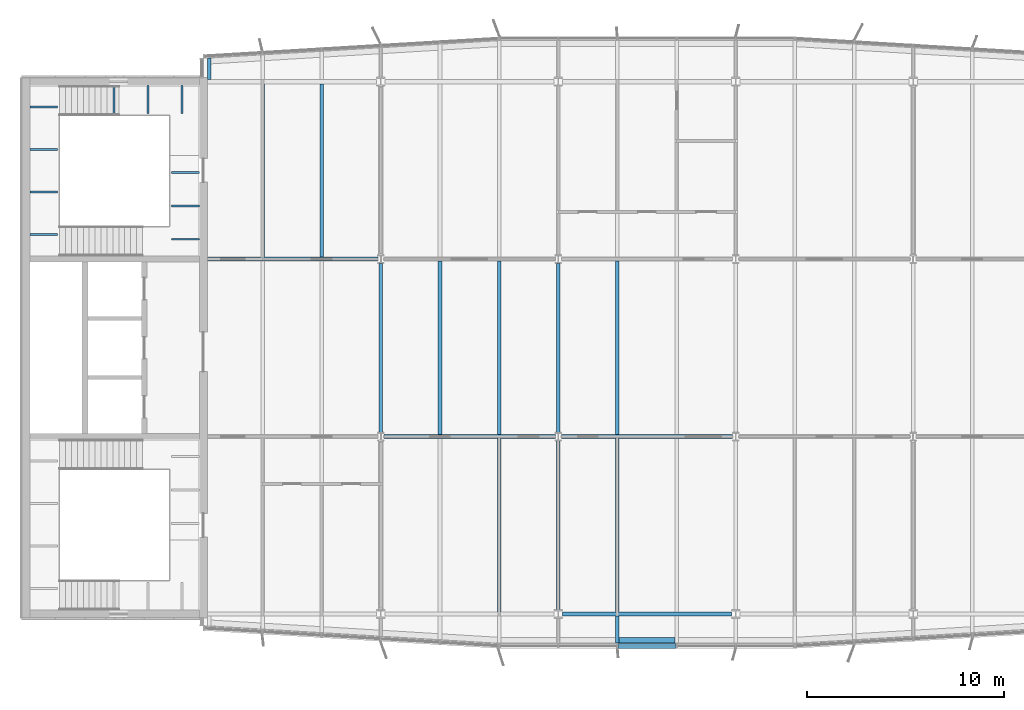
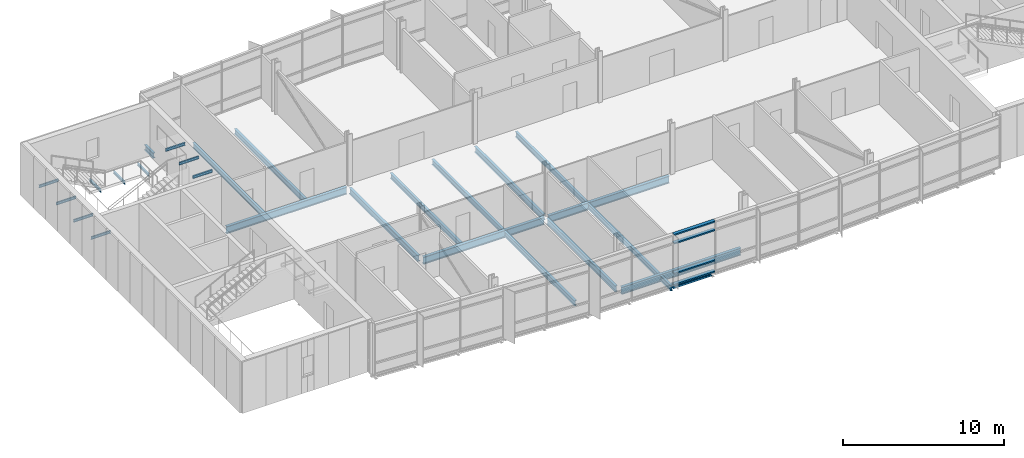
# One storey, part 3 of 21: 27 beams, 4 members, 1 element without a shape of its own.
"""IFC4 building model written with IfcOpenShell, lengths in metres."""

from ifc_helpers import new_model, si_unit, direction, frame, origin, origin_2d, place, context, subcontext, project, spatial, rectangle, i_section, extrude, material, material_profile, profile_set, type_object, element, aggregate, save


model = new_model("IFC4")

# Units and contexts
model_context = context("Model", 3, precision=1e-05, world=origin(), true_north=direction((0.0, 1.0)))
body_context = subcontext(model_context, "Body", "Model", "MODEL_VIEW")
ifc_project = project(units=[si_unit("LENGTHUNIT", "METRE"), si_unit("AREAUNIT", "SQUARE_METRE"), si_unit("VOLUMEUNIT", "CUBIC_METRE"), si_unit("PLANEANGLEUNIT", "RADIAN"), si_unit("MASSUNIT", "GRAM", prefix="KILO")], contexts=[model_context])

# Site, building, storey
site_placement = place(None, origin())
site = spatial("IfcSite", under=ifc_project, at=site_placement, CompositionType="ELEMENT")
building_placement = place(site_placement, origin())
building = spatial("IfcBuilding", under=site, at=building_placement, Name="Azimuth Sports and Learning Centre", CompositionType="ELEMENT")
storey_placement = place(building_placement, frame((0.0, 0.0, 48.0)))
storey = spatial("IfcBuildingStorey", under=building, at=storey_placement, Name="L10", CompositionType="ELEMENT", Elevation=48.0)

# Beams
ifc_material_1 = material(Name="Steel S355", Category="steel")
ifc_material_profile_1 = material_profile(ifc_material_1, i_section(OverallWidth=0.10009765625, OverallDepth=0.199951171875, WebThickness=0.005615234375, FlangeThickness=0.008544921875, FilletRadius=0.011962890625, at=origin_2d()), Name="IPE 200")
ifc_profile_set_1 = profile_set([ifc_material_profile_1], Name="Steel S355")
beam_type_1 = type_object("IfcBeamType", Name="Beam IPE 200", PredefinedType="BEAM", material=ifc_profile_set_1)
for number, where, z_axis, x_axis, name in (
    (1, (58.473388671875, 116.800048828125, -0.300048828125), (0.0, -1.0, 0.0), (1.0, 0.0, 0.0), "Landing bracket W2 L10 277"),
    (2, (60.199951171875, 116.800048828125, -0.300048828125), (0.0, -1.0, 0.0), (1.0, 0.0, 0.0), "Landing bracket W2 L10 278"),
    (3, (61.9267578125, 116.800048828125, -0.300048828125), (0.0, -1.0, 0.0), (1.0, 0.0, 0.0), "Landing bracket W2 L10 279"),
    (4, (54.199951171875, 109.23876953125, 1.35009765625), (1.0, 0.0, 0.0), (0.0, 1.0, 0.0), "Landing bracket W2 L10 280"),
    (5, (54.199951171875, 111.396240234375, 1.35009765625), (1.0, 0.0, 0.0), (0.0, 1.0, 0.0), "Landing bracket W2 L10 281"),
    (6, (54.199951171875, 113.5537109375, 1.35009765625), (1.0, 0.0, 0.0), (0.0, 1.0, 0.0), "Landing bracket W2 L10 282"),
    (7, (54.199951171875, 115.711181640625, 1.35009765625), (1.0, 0.0, 0.0), (0.0, 1.0, 0.0), "Landing bracket W2 L10 283"),
    (8, (62.800048828125, 109.00830078125, 3.60009765625), (-1.0, 0.0, 0.0), (0.0, -1.0, 0.0), "Landing bracket W2 L10 284"),
    (9, (62.800048828125, 110.705078125, 3.60009765625), (-1.0, 0.0, 0.0), (0.0, -1.0, 0.0), "Landing bracket W2 L10 285"),
    (10, (62.800048828125, 112.401611328125, 3.60009765625), (-1.0, 0.0, 0.0), (0.0, -1.0, 0.0), "Landing bracket W2 L10 286"),
):
    element("IfcBeam", number, at=place(storey_placement, frame(where, z_axis=z_axis, x_axis=x_axis)), inside=storey, type_object=beam_type_1, Name=name, PredefinedType="BEAM", context=body_context, shape_type="SweptSolid", body=[
        extrude(i_section(OverallWidth=0.10009765625, OverallDepth=0.199951171875, WebThickness=0.005615234375, FlangeThickness=0.008544921875, FilletRadius=0.011962890625, at=origin_2d()), origin(), (0.0, 0.0, 1.0), 1.41015625),
    ])
ifc_material_2 = material(Name="Steel S355", Category="steel")
ifc_material_profile_2 = material_profile(ifc_material_2, i_section(OverallWidth=0.18994140625, OverallDepth=0.449951171875, WebThickness=0.009521484375, FlangeThickness=0.0146484375, FilletRadius=0.02099609375, at=origin_2d()), Name="IPE 450")
ifc_profile_set_2 = profile_set([ifc_material_profile_2], Name="Steel S355")
beam_type_2 = type_object("IfcBeamType", Name="Beam IPE 450", PredefinedType="BEAM", material=ifc_profile_set_2)
beam_1_placement = place(storey_placement, frame((72.0, 99.216064453125, -0.35498046875), z_axis=(0.0, 1.0, 0.0), x_axis=(-1.0, 0.0, 0.0)))
element("IfcBeam", 11, at=beam_1_placement, inside=storey, type_object=beam_type_2, Name="Tower tie", PredefinedType="BEAM", context=body_context, shape_type="SweptSolid", body=[
    extrude(i_section(OverallWidth=0.18994140625, OverallDepth=0.449951171875, WebThickness=0.009521484375, FlangeThickness=0.0146484375, FilletRadius=0.02099609375, at=origin_2d()), origin(), (0.0, 0.0, 1.0), 8.56787109375),
])
beam_2_placement = place(storey_placement, frame((81.0, 90.2275390625, -0.35498046875), z_axis=(0.0, 1.0, 0.0), x_axis=(-1.0, 0.0, 0.0)))
element("IfcBeam", 12, at=beam_2_placement, inside=storey, type_object=beam_type_2, Name="Tower tie", PredefinedType="BEAM", context=body_context, shape_type="SweptSolid", body=[
    extrude(i_section(OverallWidth=0.18994140625, OverallDepth=0.449951171875, WebThickness=0.009521484375, FlangeThickness=0.0146484375, FilletRadius=0.02099609375, at=origin_2d()), origin(), (0.0, 0.0, 1.0), 8.556396484375),
])
beam_3_placement = place(storey_placement, frame((81.0, 99.216064453125, -0.35498046875), z_axis=(0.0, 1.0, 0.0), x_axis=(-1.0, 0.0, 0.0)))
element("IfcBeam", 13, at=beam_3_placement, inside=storey, type_object=beam_type_2, Name="Tower tie", PredefinedType="BEAM", context=body_context, shape_type="SweptSolid", body=[
    extrude(i_section(OverallWidth=0.18994140625, OverallDepth=0.449951171875, WebThickness=0.009521484375, FlangeThickness=0.0146484375, FilletRadius=0.02099609375, at=origin_2d()), origin(), (0.0, 0.0, 1.0), 8.56787109375),
])
ifc_material_3 = material(Name="Steel S355", Category="steel")
ifc_material_profile_3 = material_profile(ifc_material_3, i_section(OverallWidth=0.2099609375, OverallDepth=0.550048828125, WebThickness=0.010986328125, FlangeThickness=0.01708984375, FilletRadius=0.02392578125, at=origin_2d()), Name="IPE 550")
ifc_profile_set_3 = profile_set([ifc_material_profile_3], Name="Steel S355")
beam_type_3 = type_object("IfcBeamType", Name="Beam IPE 550", PredefinedType="BEAM", material=ifc_profile_set_3)
beam_4_placement = place(storey_placement, frame((81.208984375, 90.0, -0.405029296875), z_axis=(1.0, 0.0, 0.0), x_axis=(0.0, 1.0, 0.0)))
element("IfcBeam", 14, at=beam_4_placement, inside=storey, type_object=beam_type_3, Name="Tower girder L10", PredefinedType="BEAM", context=body_context, shape_type="SweptSolid", body=[
    extrude(i_section(OverallWidth=0.2099609375, OverallDepth=0.550048828125, WebThickness=0.010986328125, FlangeThickness=0.01708984375, FilletRadius=0.02392578125, at=origin_2d()), origin(), (0.0, 0.0, 1.0), 8.58203125),
])
for number, where, z_axis, x_axis, name in (
    (15, (72.153564453125, 99.0, -0.405029296875), (1.0, 0.0, 0.0), (0.0, 1.0, 0.0), "Tower girder L10"),
    (16, (81.153564453125, 99.0, -0.405029296875), (1.0, 0.0, 0.0), (0.0, 1.0, 0.0), "Tower girder L10"),
):
    element("IfcBeam", number, at=place(storey_placement, frame(where, z_axis=z_axis, x_axis=x_axis)), inside=storey, type_object=beam_type_3, Name=name, PredefinedType="BEAM", context=body_context, shape_type="SweptSolid", body=[
        extrude(i_section(OverallWidth=0.2099609375, OverallDepth=0.550048828125, WebThickness=0.010986328125, FlangeThickness=0.01708984375, FilletRadius=0.02392578125, at=origin_2d()), origin(), (0.0, 0.0, 1.0), 8.69287109375),
    ])
beam_5_placement = place(storey_placement, frame((63.199951171875, 108.0, -0.405029296875), z_axis=(1.0, 0.0, 0.0), x_axis=(0.0, 1.0, 0.0)))
element("IfcBeam", 17, at=beam_5_placement, inside=storey, type_object=beam_type_3, Name="Tower girder L10", PredefinedType="BEAM", context=body_context, shape_type="SweptSolid", body=[
    extrude(i_section(OverallWidth=0.2099609375, OverallDepth=0.550048828125, WebThickness=0.010986328125, FlangeThickness=0.01708984375, FilletRadius=0.02392578125, at=origin_2d()), origin(), (0.0, 0.0, 1.0), 8.646484375),
])
ifc_material_4 = material(Name="Steel S355", Category="steel")
ifc_material_profile_4 = material_profile(ifc_material_4, i_section(OverallWidth=0.179931640625, OverallDepth=0.39990234375, WebThickness=0.008544921875, FlangeThickness=0.013427734375, FilletRadius=0.02099609375, at=origin_2d()), Name="IPE 400")
ifc_profile_set_4 = profile_set([ifc_material_profile_4], Name="Steel S355")
beam_type_4 = type_object("IfcBeamType", Name="Cantilever stub IPE 400", PredefinedType="JOIST", material=ifc_profile_set_4)
beam_6_placement = place(storey_placement, frame((84.0, 89.89501953125, -0.330078125), z_axis=(0.0, -1.0, 0.0), x_axis=(1.0, 0.0, 0.0)))
element("IfcBeam", 18, at=beam_6_placement, inside=storey, type_object=beam_type_4, Name="Tower cantilever stub", PredefinedType="JOIST", context=body_context, shape_type="SweptSolid", body=[
    extrude(i_section(OverallWidth=0.179931640625, OverallDepth=0.39990234375, WebThickness=0.008544921875, FlangeThickness=0.013427734375, FilletRadius=0.02099609375, at=origin_2d()), origin(), (0.0, 0.0, 1.0), 1.375),
])
beam_7_placement = place(storey_placement, frame((63.2900390625, 117.10498046875, -0.330078125), z_axis=(0.0, 1.0, 0.0), x_axis=(-1.0, 0.0, 0.0)))
element("IfcBeam", 19, at=beam_7_placement, inside=storey, type_object=beam_type_4, Name="Tower cantilever stub", PredefinedType="JOIST", context=body_context, shape_type="SweptSolid", body=[
    extrude(i_section(OverallWidth=0.179931640625, OverallDepth=0.39990234375, WebThickness=0.008544921875, FlangeThickness=0.013427734375, FilletRadius=0.02099609375, at=origin_2d()), origin(), (0.0, 0.0, 1.0), 1.092529296875),
])
ifc_material_5 = material(Name="Steel S355", Category="steel")
ifc_material_profile_5 = material_profile(ifc_material_5, i_section(OverallWidth=0.300048828125, OverallDepth=0.2900390625, WebThickness=0.008544921875, FlangeThickness=0.013916015625, FilletRadius=0.027099609375, at=origin_2d()), Name="HEA 300")
ifc_profile_set_5 = profile_set([ifc_material_profile_5], Name="Steel S355")
beam_type_5 = type_object("IfcBeamType", Name="Edge beam HEA 300", PredefinedType="SPANDREL", material=ifc_profile_set_5)
beam_8_placement = place(storey_placement, frame((84.090087890625, 88.669921875, -0.27490234375), z_axis=(1.0, 0.0, 0.0), x_axis=(0.0, 1.0, 0.0)))
element("IfcBeam", 20, at=beam_8_placement, inside=storey, type_object=beam_type_5, Name="Tower edge beam", PredefinedType="SPANDREL", context=body_context, shape_type="SweptSolid", body=[
    extrude(i_section(OverallWidth=0.300048828125, OverallDepth=0.2900390625, WebThickness=0.008544921875, FlangeThickness=0.013916015625, FilletRadius=0.027099609375, at=origin_2d()), origin(), (0.0, 0.0, 1.0), 2.81982421875),
])
ifc_material_6 = material(Name="Steel S355", Category="steel")
ifc_material_profile_6 = material_profile(ifc_material_6, i_section(OverallWidth=0.179931640625, OverallDepth=0.39990234375, WebThickness=0.008544921875, FlangeThickness=0.013427734375, FilletRadius=0.02099609375, at=origin_2d()), Name="IPE 400")
ifc_profile_set_6 = profile_set([ifc_material_profile_6], Name="Steel S355")
beam_type_6 = type_object("IfcBeamType", Name="Joist IPE 400", PredefinedType="JOIST", material=ifc_profile_set_6)
for number, where, z_axis, x_axis, name in (
    (21, (66.0, 108.10498046875, -0.330078125), (0.0, 1.0, 0.0), (-1.0, 0.0, 0.0), "Tower joist"),
    (22, (69.0, 108.10498046875, -0.330078125), (0.0, 1.0, 0.0), (-1.0, 0.0, 0.0), "Tower joist"),
    (23, (75.0, 99.10498046875, -0.330078125), (0.0, 1.0, 0.0), (-1.0, 0.0, 0.0), "Tower joist"),
    (24, (78.0, 90.10498046875, -0.330078125), (0.0, 1.0, 0.0), (-1.0, 0.0, 0.0), "Tower joist"),
    (25, (78.0, 99.10498046875, -0.330078125), (0.0, 1.0, 0.0), (-1.0, 0.0, 0.0), "Tower joist"),
    (26, (84.0, 90.10498046875, -0.330078125), (0.0, 1.0, 0.0), (-1.0, 0.0, 0.0), "Tower joist"),
    (27, (84.0, 99.10498046875, -0.330078125), (0.0, 1.0, 0.0), (-1.0, 0.0, 0.0), "Tower joist"),
):
    element("IfcBeam", number, at=place(storey_placement, frame(where, z_axis=z_axis, x_axis=x_axis)), inside=storey, type_object=beam_type_6, Name=name, PredefinedType="JOIST", context=body_context, shape_type="SweptSolid", body=[
        extrude(i_section(OverallWidth=0.179931640625, OverallDepth=0.39990234375, WebThickness=0.008544921875, FlangeThickness=0.013427734375, FilletRadius=0.02099609375, at=origin_2d()), origin(), (0.0, 0.0, 1.0), 8.7900390625),
    ])

# Curtain wall, members
ifc_material_7 = material(Name="Aluminium and glass", Category="aluminium")
curtain_wall_type = type_object("IfcCurtainWallType", Name="Curtain wall tower south 240", PredefinedType="NOTDEFINED", material=ifc_material_7)
curtain_wall_placement = place(storey_placement, origin())
curtain_wall = element("IfcCurtainWall", 28, at=curtain_wall_placement, inside=storey, type_object=curtain_wall_type, Name="Curtain wall CW10-003", PredefinedType="NOTDEFINED")
ifc_material_8 = material(Name="Aluminium", Category="aluminium")
ifc_material_profile_7 = material_profile(ifc_material_8, rectangle(XDim=0.239990234375, YDim=0.10009765625, at=origin_2d()), Name="Transom 100x240")
ifc_profile_set_7 = profile_set([ifc_material_profile_7], Name="Aluminium")
member_type = type_object("IfcMemberType", Name="Transom 100x240", PredefinedType="USERDEFINED", material=ifc_profile_set_7)
member_1_placement = place(storey_placement, frame((84.034912109375, 88.3798828125, 0.050048828125), z_axis=(1.0, 0.0, 0.0), x_axis=(0.0, 1.0, 0.0)))
member_1 = element("IfcMember", 29, at=member_1_placement, type_object=member_type, Name="CW10-003 transom 3.1", ObjectType="TRANSOM", PredefinedType="USERDEFINED", context=body_context, shape_type="SweptSolid", body=[
    extrude(rectangle(XDim=0.239990234375, YDim=0.10009765625, at=origin_2d()), origin(), (0.0, 0.0, 1.0), 2.93017578125),
])
member_2_placement = place(storey_placement, frame((84.034912109375, 88.3798828125, 0.89990234375), z_axis=(1.0, 0.0, 0.0), x_axis=(0.0, 1.0, 0.0)))
member_2 = element("IfcMember", 30, at=member_2_placement, type_object=member_type, Name="CW10-003 transom 3.2", ObjectType="TRANSOM", PredefinedType="USERDEFINED", context=body_context, shape_type="SweptSolid", body=[
    extrude(rectangle(XDim=0.239990234375, YDim=0.10009765625, at=origin_2d()), origin(), (0.0, 0.0, 1.0), 2.93017578125),
])
member_3_placement = place(storey_placement, frame((84.034912109375, 88.3798828125, 3.199951171875), z_axis=(1.0, 0.0, 0.0), x_axis=(0.0, 1.0, 0.0)))
member_3 = element("IfcMember", 31, at=member_3_placement, type_object=member_type, Name="CW10-003 transom 3.3", ObjectType="TRANSOM", PredefinedType="USERDEFINED", context=body_context, shape_type="SweptSolid", body=[
    extrude(rectangle(XDim=0.239990234375, YDim=0.10009765625, at=origin_2d()), origin(), (0.0, 0.0, 1.0), 2.93017578125),
])
member_4_placement = place(storey_placement, frame((84.034912109375, 88.3798828125, 3.85009765625), z_axis=(1.0, 0.0, 0.0), x_axis=(0.0, 1.0, 0.0)))
member_4 = element("IfcMember", 32, at=member_4_placement, type_object=member_type, Name="CW10-003 transom 3.4", ObjectType="TRANSOM", PredefinedType="USERDEFINED", context=body_context, shape_type="SweptSolid", body=[
    extrude(rectangle(XDim=0.239990234375, YDim=0.10009765625, at=origin_2d()), origin(), (0.0, 0.0, 1.0), 2.93017578125),
])
aggregate(curtain_wall, [member_1, member_2, member_3, member_4])

save(model, "model.ifc")
